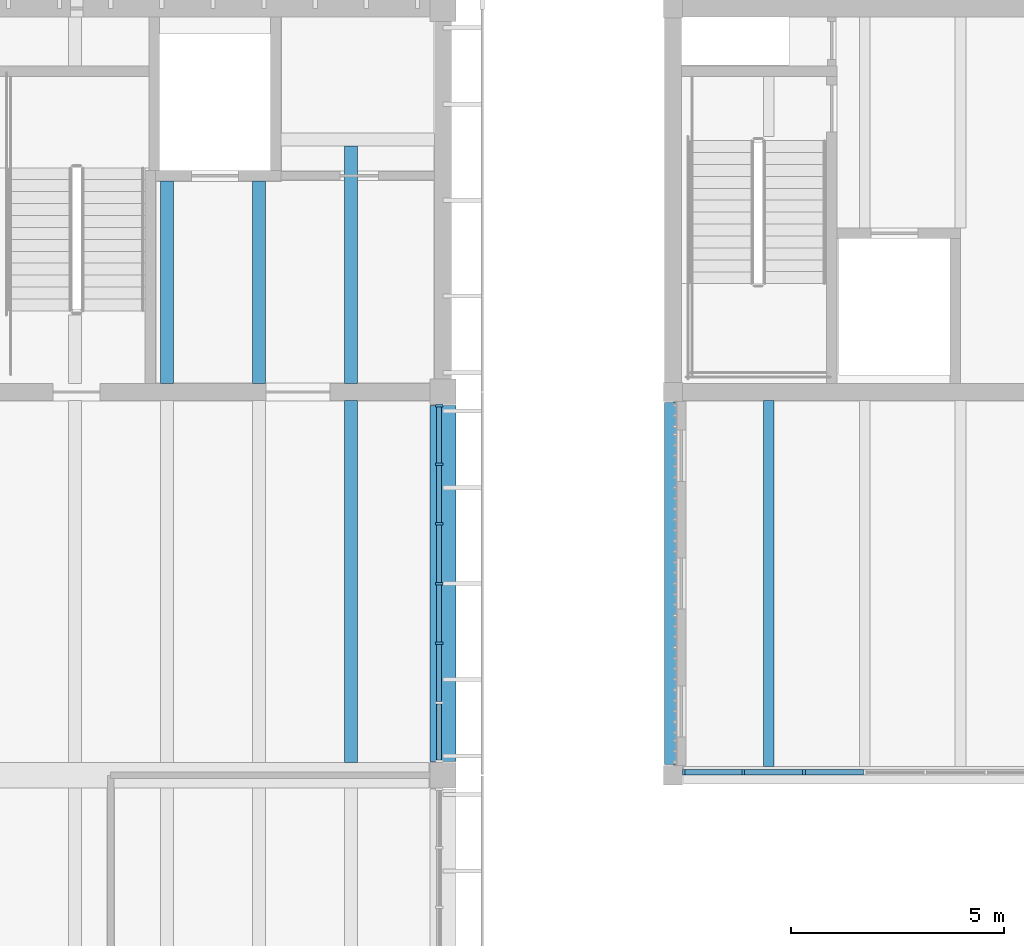
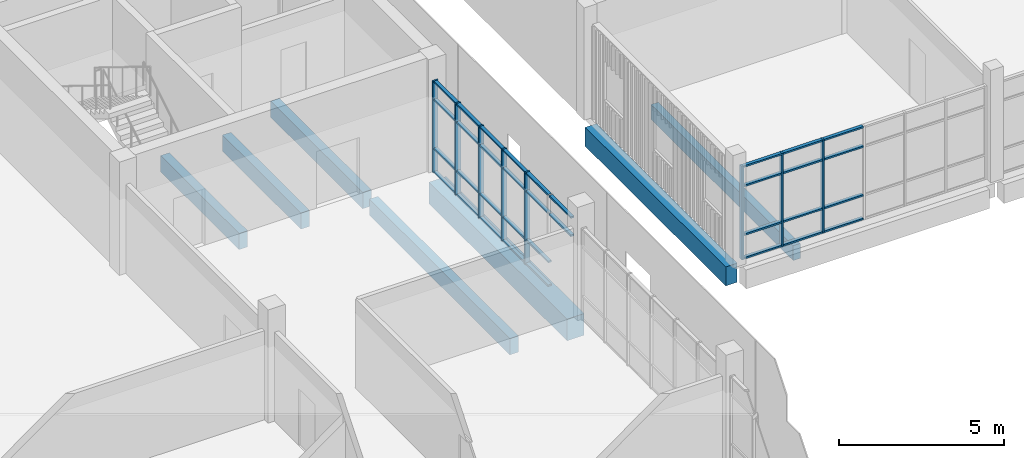
# One storey, part 23 of 88: 42 members, 7 beams, 2 elements without a shape of their own.
"""IFC4 building model written with IfcOpenShell, lengths in metres."""

from ifc_helpers import new_model, si_unit, direction, frame, origin, origin_2d, place, context, subcontext, project, spatial, rectangle, extrude, material, material_profile, profile_set, type_object, element, aggregate, save


model = new_model("IFC4")

# Units and contexts
model_context = context("Model", 3, precision=1e-05, world=origin(), true_north=direction((0.0, 1.0)))
body_context = subcontext(model_context, "Body", "Model", "MODEL_VIEW")
ifc_project = project(units=[si_unit("LENGTHUNIT", "METRE"), si_unit("AREAUNIT", "SQUARE_METRE"), si_unit("VOLUMEUNIT", "CUBIC_METRE"), si_unit("PLANEANGLEUNIT", "RADIAN"), si_unit("MASSUNIT", "GRAM", prefix="KILO")], contexts=[model_context])

# Site, building, storey
site_placement = place(None, origin())
site = spatial("IfcSite", under=ifc_project, at=site_placement, CompositionType="ELEMENT")
building_placement = place(site_placement, origin())
building = spatial("IfcBuilding", under=site, at=building_placement, Name="Merrow Basin Faculty of Sciences", CompositionType="ELEMENT")
storey_placement = place(building_placement, frame((0.0, 0.0, 9.0)))
storey = spatial("IfcBuildingStorey", under=building, at=storey_placement, Name="L02", CompositionType="ELEMENT", Elevation=9.0)

# Curtain wall, members
ifc_material_1 = material(Name="Aluminium alloy 6063", Category="aluminium")
curtain_wall_type_1 = type_object("IfcCurtainWallType", Name="Court curtain wall 140", PredefinedType="NOTDEFINED", material=ifc_material_1)
curtain_wall_1_placement = place(storey_placement, origin())
curtain_wall_1 = element("IfcCurtainWall", 1, at=curtain_wall_1_placement, inside=storey, type_object=curtain_wall_type_1, Name="Court curtain wall L02 1", PredefinedType="NOTDEFINED")
ifc_material_2 = material(Name="Aluminium alloy 6063", Category="aluminium")
ifc_material_profile_1 = material_profile(ifc_material_2, rectangle(XDim=0.139892578125, YDim=0.06005859375, at=origin_2d()))
ifc_profile_set_1 = profile_set([ifc_material_profile_1], Name="Aluminium alloy 6063")
member_type_1 = type_object("IfcMemberType", Name="Aluminium mullion 60x140", PredefinedType="MULLION", material=ifc_profile_set_1)
member_1_placement = place(storey_placement, frame((27.2548828125, 115.070068359375, 0.0), z_axis=(0.0, 0.0, 1.0), x_axis=(0.0, 1.0, 0.0)))
member_1 = element("IfcMember", 2, at=member_1_placement, type_object=member_type_1, Name="CW8 mullion 1", PredefinedType="MULLION", context=body_context, shape_type="SweptSolid", body=[
    extrude(rectangle(XDim=0.139892578125, YDim=0.06005859375, at=origin_2d()), origin(), (0.0, 0.0, 1.0), 3.449951171875),
])
member_2_placement = place(storey_placement, frame((28.64990234375, 115.070068359375, 0.0), z_axis=(0.0, 0.0, 1.0), x_axis=(0.0, 1.0, 0.0)))
member_2 = element("IfcMember", 3, at=member_2_placement, type_object=member_type_1, Name="CW8 mullion 2", PredefinedType="MULLION", context=body_context, shape_type="SweptSolid", body=[
    extrude(rectangle(XDim=0.139892578125, YDim=0.06005859375, at=origin_2d()), origin(), (0.0, 0.0, 1.0), 3.449951171875),
])
member_3_placement = place(storey_placement, frame((30.074951171875, 115.070068359375, 0.0), z_axis=(0.0, 0.0, 1.0), x_axis=(0.0, 1.0, 0.0)))
member_3 = element("IfcMember", 4, at=member_3_placement, type_object=member_type_1, Name="CW8 mullion 3", PredefinedType="MULLION", context=body_context, shape_type="SweptSolid", body=[
    extrude(rectangle(XDim=0.139892578125, YDim=0.06005859375, at=origin_2d()), origin(), (0.0, 0.0, 1.0), 3.449951171875),
])

ifc_material_3 = material(Name="Aluminium alloy 6063", Category="aluminium")
curtain_wall_type_2 = type_object("IfcCurtainWallType", Name="Bar unitised curtain wall 180", PredefinedType="NOTDEFINED", material=ifc_material_3)
curtain_wall_2_placement = place(storey_placement, origin())
curtain_wall_2 = element("IfcCurtainWall", 5, at=curtain_wall_2_placement, inside=storey, type_object=curtain_wall_type_2, Name="East curtain wall L02 6", PredefinedType="NOTDEFINED")
ifc_material_4 = material(Name="Aluminium alloy 6063", Category="aluminium")
ifc_material_profile_2 = material_profile(ifc_material_4, rectangle(XDim=0.179931640625, YDim=0.06005859375, at=origin_2d()))
ifc_profile_set_2 = profile_set([ifc_material_profile_2], Name="Aluminium alloy 6063")
member_type_2 = type_object("IfcMemberType", Name="Aluminium mullion 60x180", PredefinedType="MULLION", material=ifc_profile_set_2)
member_4_placement = place(storey_placement, frame((21.510009765625, 118.10009765625, 0.0), z_axis=(0.0, 0.0, 1.0), x_axis=(-1.0, 0.0, 0.0)))
member_4 = element("IfcMember", 6, at=member_4_placement, type_object=member_type_2, Name="CW1 mullion 3", PredefinedType="MULLION", context=body_context, shape_type="SweptSolid", body=[
    extrude(rectangle(XDim=0.179931640625, YDim=0.06005859375, at=origin_2d()), origin(), (0.0, 0.0, 1.0), 3.39990234375),
])
member_5_placement = place(storey_placement, frame((21.510009765625, 119.5, 0.0), z_axis=(0.0, 0.0, 1.0), x_axis=(-1.0, 0.0, 0.0)))
member_5 = element("IfcMember", 7, at=member_5_placement, type_object=member_type_2, Name="CW1 mullion 4", PredefinedType="MULLION", context=body_context, shape_type="SweptSolid", body=[
    extrude(rectangle(XDim=0.179931640625, YDim=0.06005859375, at=origin_2d()), origin(), (0.0, 0.0, 1.0), 3.39990234375),
])
member_6_placement = place(storey_placement, frame((21.510009765625, 120.89990234375, 0.0), z_axis=(0.0, 0.0, 1.0), x_axis=(-1.0, 0.0, 0.0)))
member_6 = element("IfcMember", 8, at=member_6_placement, type_object=member_type_2, Name="CW1 mullion 5", PredefinedType="MULLION", context=body_context, shape_type="SweptSolid", body=[
    extrude(rectangle(XDim=0.179931640625, YDim=0.06005859375, at=origin_2d()), origin(), (0.0, 0.0, 1.0), 3.39990234375),
])
member_7_placement = place(storey_placement, frame((21.510009765625, 122.300048828125, 0.0), z_axis=(0.0, 0.0, 1.0), x_axis=(-1.0, 0.0, 0.0)))
member_7 = element("IfcMember", 9, at=member_7_placement, type_object=member_type_2, Name="CW1 mullion 6", PredefinedType="MULLION", context=body_context, shape_type="SweptSolid", body=[
    extrude(rectangle(XDim=0.179931640625, YDim=0.06005859375, at=origin_2d()), origin(), (0.0, 0.0, 1.0), 3.39990234375),
])
member_8_placement = place(storey_placement, frame((21.510009765625, 123.669921875, 0.0), z_axis=(0.0, 0.0, 1.0), x_axis=(-1.0, 0.0, 0.0)))
member_8 = element("IfcMember", 10, at=member_8_placement, type_object=member_type_2, Name="CW1 mullion 7", PredefinedType="MULLION", context=body_context, shape_type="SweptSolid", body=[
    extrude(rectangle(XDim=0.179931640625, YDim=0.06005859375, at=origin_2d()), origin(), (0.0, 0.0, 1.0), 3.39990234375),
])
ifc_material_5 = material(Name="Aluminium alloy 6063", Category="aluminium")
ifc_material_profile_3 = material_profile(ifc_material_5, rectangle(XDim=0.1201171875, YDim=0.06005859375, at=origin_2d()))
ifc_profile_set_3 = profile_set([ifc_material_profile_3], Name="Aluminium alloy 6063")
member_type_3 = type_object("IfcMemberType", Name="Aluminium transom 60x120", PredefinedType="USERDEFINED", material=ifc_profile_set_3)
member_9_placement = place(storey_placement, frame((21.510009765625, 115.360107421875, 2.699951171875), z_axis=(0.0, 1.0, 0.0), x_axis=(-1.0, 0.0, 0.0)))
member_9 = element("IfcMember", 11, at=member_9_placement, type_object=member_type_3, Name="CW1 transom 1.3", ObjectType="TRANSOM", PredefinedType="USERDEFINED", context=body_context, shape_type="SweptSolid", body=[
    extrude(rectangle(XDim=0.1201171875, YDim=0.06005859375, at=origin_2d()), origin(), (0.0, 0.0, 1.0), 1.309814453125),
])
member_10_placement = place(storey_placement, frame((21.510009765625, 115.360107421875, 3.3701171875), z_axis=(0.0, 1.0, 0.0), x_axis=(-1.0, 0.0, 0.0)))
member_10 = element("IfcMember", 12, at=member_10_placement, type_object=member_type_3, Name="CW1 transom 1.4", ObjectType="TRANSOM", PredefinedType="USERDEFINED", context=body_context, shape_type="SweptSolid", body=[
    extrude(rectangle(XDim=0.1201171875, YDim=0.06005859375, at=origin_2d()), origin(), (0.0, 0.0, 1.0), 1.309814453125),
])
member_11_placement = place(storey_placement, frame((21.510009765625, 116.72998046875, 0.030029296875), z_axis=(0.0, 1.0, 0.0), x_axis=(-1.0, 0.0, 0.0)))
member_11 = element("IfcMember", 13, at=member_11_placement, type_object=member_type_3, Name="CW1 transom 2.1", ObjectType="TRANSOM", PredefinedType="USERDEFINED", context=body_context, shape_type="SweptSolid", body=[
    extrude(rectangle(XDim=0.1201171875, YDim=0.06005859375, at=origin_2d()), origin(), (0.0, 0.0, 1.0), 1.340087890625),
])
member_12_placement = place(storey_placement, frame((21.510009765625, 116.72998046875, 0.89990234375), z_axis=(0.0, 1.0, 0.0), x_axis=(-1.0, 0.0, 0.0)))
member_12 = element("IfcMember", 14, at=member_12_placement, type_object=member_type_3, Name="CW1 transom 2.2", ObjectType="TRANSOM", PredefinedType="USERDEFINED", context=body_context, shape_type="SweptSolid", body=[
    extrude(rectangle(XDim=0.1201171875, YDim=0.06005859375, at=origin_2d()), origin(), (0.0, 0.0, 1.0), 1.340087890625),
])
member_13_placement = place(storey_placement, frame((21.510009765625, 116.72998046875, 2.699951171875), z_axis=(0.0, 1.0, 0.0), x_axis=(-1.0, 0.0, 0.0)))
member_13 = element("IfcMember", 15, at=member_13_placement, type_object=member_type_3, Name="CW1 transom 2.3", ObjectType="TRANSOM", PredefinedType="USERDEFINED", context=body_context, shape_type="SweptSolid", body=[
    extrude(rectangle(XDim=0.1201171875, YDim=0.06005859375, at=origin_2d()), origin(), (0.0, 0.0, 1.0), 1.340087890625),
])
member_14_placement = place(storey_placement, frame((21.510009765625, 116.72998046875, 3.3701171875), z_axis=(0.0, 1.0, 0.0), x_axis=(-1.0, 0.0, 0.0)))
member_14 = element("IfcMember", 16, at=member_14_placement, type_object=member_type_3, Name="CW1 transom 2.4", ObjectType="TRANSOM", PredefinedType="USERDEFINED", context=body_context, shape_type="SweptSolid", body=[
    extrude(rectangle(XDim=0.1201171875, YDim=0.06005859375, at=origin_2d()), origin(), (0.0, 0.0, 1.0), 1.340087890625),
])
member_15_placement = place(storey_placement, frame((21.510009765625, 118.1298828125, 0.030029296875), z_axis=(0.0, 1.0, 0.0), x_axis=(-1.0, 0.0, 0.0)))
member_15 = element("IfcMember", 17, at=member_15_placement, type_object=member_type_3, Name="CW1 transom 3.1", ObjectType="TRANSOM", PredefinedType="USERDEFINED", context=body_context, shape_type="SweptSolid", body=[
    extrude(rectangle(XDim=0.1201171875, YDim=0.06005859375, at=origin_2d()), origin(), (0.0, 0.0, 1.0), 1.340087890625),
])
member_16_placement = place(storey_placement, frame((21.510009765625, 118.1298828125, 0.89990234375), z_axis=(0.0, 1.0, 0.0), x_axis=(-1.0, 0.0, 0.0)))
member_16 = element("IfcMember", 18, at=member_16_placement, type_object=member_type_3, Name="CW1 transom 3.2", ObjectType="TRANSOM", PredefinedType="USERDEFINED", context=body_context, shape_type="SweptSolid", body=[
    extrude(rectangle(XDim=0.1201171875, YDim=0.06005859375, at=origin_2d()), origin(), (0.0, 0.0, 1.0), 1.340087890625),
])
member_17_placement = place(storey_placement, frame((21.510009765625, 118.1298828125, 2.699951171875), z_axis=(0.0, 1.0, 0.0), x_axis=(-1.0, 0.0, 0.0)))
member_17 = element("IfcMember", 19, at=member_17_placement, type_object=member_type_3, Name="CW1 transom 3.3", ObjectType="TRANSOM", PredefinedType="USERDEFINED", context=body_context, shape_type="SweptSolid", body=[
    extrude(rectangle(XDim=0.1201171875, YDim=0.06005859375, at=origin_2d()), origin(), (0.0, 0.0, 1.0), 1.340087890625),
])
member_18_placement = place(storey_placement, frame((21.510009765625, 118.1298828125, 3.3701171875), z_axis=(0.0, 1.0, 0.0), x_axis=(-1.0, 0.0, 0.0)))
member_18 = element("IfcMember", 20, at=member_18_placement, type_object=member_type_3, Name="CW1 transom 3.4", ObjectType="TRANSOM", PredefinedType="USERDEFINED", context=body_context, shape_type="SweptSolid", body=[
    extrude(rectangle(XDim=0.1201171875, YDim=0.06005859375, at=origin_2d()), origin(), (0.0, 0.0, 1.0), 1.340087890625),
])
member_19_placement = place(storey_placement, frame((21.510009765625, 119.530029296875, 0.030029296875), z_axis=(0.0, 1.0, 0.0), x_axis=(-1.0, 0.0, 0.0)))
member_19 = element("IfcMember", 21, at=member_19_placement, type_object=member_type_3, Name="CW1 transom 4.1", ObjectType="TRANSOM", PredefinedType="USERDEFINED", context=body_context, shape_type="SweptSolid", body=[
    extrude(rectangle(XDim=0.1201171875, YDim=0.06005859375, at=origin_2d()), origin(), (0.0, 0.0, 1.0), 1.340087890625),
])
member_20_placement = place(storey_placement, frame((21.510009765625, 119.530029296875, 0.89990234375), z_axis=(0.0, 1.0, 0.0), x_axis=(-1.0, 0.0, 0.0)))
member_20 = element("IfcMember", 22, at=member_20_placement, type_object=member_type_3, Name="CW1 transom 4.2", ObjectType="TRANSOM", PredefinedType="USERDEFINED", context=body_context, shape_type="SweptSolid", body=[
    extrude(rectangle(XDim=0.1201171875, YDim=0.06005859375, at=origin_2d()), origin(), (0.0, 0.0, 1.0), 1.340087890625),
])
member_21_placement = place(storey_placement, frame((21.510009765625, 119.530029296875, 2.699951171875), z_axis=(0.0, 1.0, 0.0), x_axis=(-1.0, 0.0, 0.0)))
member_21 = element("IfcMember", 23, at=member_21_placement, type_object=member_type_3, Name="CW1 transom 4.3", ObjectType="TRANSOM", PredefinedType="USERDEFINED", context=body_context, shape_type="SweptSolid", body=[
    extrude(rectangle(XDim=0.1201171875, YDim=0.06005859375, at=origin_2d()), origin(), (0.0, 0.0, 1.0), 1.340087890625),
])
member_22_placement = place(storey_placement, frame((21.510009765625, 119.530029296875, 3.3701171875), z_axis=(0.0, 1.0, 0.0), x_axis=(-1.0, 0.0, 0.0)))
member_22 = element("IfcMember", 24, at=member_22_placement, type_object=member_type_3, Name="CW1 transom 4.4", ObjectType="TRANSOM", PredefinedType="USERDEFINED", context=body_context, shape_type="SweptSolid", body=[
    extrude(rectangle(XDim=0.1201171875, YDim=0.06005859375, at=origin_2d()), origin(), (0.0, 0.0, 1.0), 1.340087890625),
])
member_23_placement = place(storey_placement, frame((21.510009765625, 120.929931640625, 0.030029296875), z_axis=(0.0, 1.0, 0.0), x_axis=(-1.0, 0.0, 0.0)))
member_23 = element("IfcMember", 25, at=member_23_placement, type_object=member_type_3, Name="CW1 transom 5.1", ObjectType="TRANSOM", PredefinedType="USERDEFINED", context=body_context, shape_type="SweptSolid", body=[
    extrude(rectangle(XDim=0.1201171875, YDim=0.06005859375, at=origin_2d()), origin(), (0.0, 0.0, 1.0), 1.340087890625),
])
member_24_placement = place(storey_placement, frame((21.510009765625, 120.929931640625, 0.89990234375), z_axis=(0.0, 1.0, 0.0), x_axis=(-1.0, 0.0, 0.0)))
member_24 = element("IfcMember", 26, at=member_24_placement, type_object=member_type_3, Name="CW1 transom 5.2", ObjectType="TRANSOM", PredefinedType="USERDEFINED", context=body_context, shape_type="SweptSolid", body=[
    extrude(rectangle(XDim=0.1201171875, YDim=0.06005859375, at=origin_2d()), origin(), (0.0, 0.0, 1.0), 1.340087890625),
])
member_25_placement = place(storey_placement, frame((21.510009765625, 120.929931640625, 2.699951171875), z_axis=(0.0, 1.0, 0.0), x_axis=(-1.0, 0.0, 0.0)))
member_25 = element("IfcMember", 27, at=member_25_placement, type_object=member_type_3, Name="CW1 transom 5.3", ObjectType="TRANSOM", PredefinedType="USERDEFINED", context=body_context, shape_type="SweptSolid", body=[
    extrude(rectangle(XDim=0.1201171875, YDim=0.06005859375, at=origin_2d()), origin(), (0.0, 0.0, 1.0), 1.340087890625),
])
member_26_placement = place(storey_placement, frame((21.510009765625, 120.929931640625, 3.3701171875), z_axis=(0.0, 1.0, 0.0), x_axis=(-1.0, 0.0, 0.0)))
member_26 = element("IfcMember", 28, at=member_26_placement, type_object=member_type_3, Name="CW1 transom 5.4", ObjectType="TRANSOM", PredefinedType="USERDEFINED", context=body_context, shape_type="SweptSolid", body=[
    extrude(rectangle(XDim=0.1201171875, YDim=0.06005859375, at=origin_2d()), origin(), (0.0, 0.0, 1.0), 1.340087890625),
])
member_27_placement = place(storey_placement, frame((21.510009765625, 122.330078125, 0.030029296875), z_axis=(0.0, 1.0, 0.0), x_axis=(-1.0, 0.0, 0.0)))
member_27 = element("IfcMember", 29, at=member_27_placement, type_object=member_type_3, Name="CW1 transom 6.1", ObjectType="TRANSOM", PredefinedType="USERDEFINED", context=body_context, shape_type="SweptSolid", body=[
    extrude(rectangle(XDim=0.1201171875, YDim=0.06005859375, at=origin_2d()), origin(), (0.0, 0.0, 1.0), 1.309814453125),
])
member_28_placement = place(storey_placement, frame((21.510009765625, 122.330078125, 0.89990234375), z_axis=(0.0, 1.0, 0.0), x_axis=(-1.0, 0.0, 0.0)))
member_28 = element("IfcMember", 30, at=member_28_placement, type_object=member_type_3, Name="CW1 transom 6.2", ObjectType="TRANSOM", PredefinedType="USERDEFINED", context=body_context, shape_type="SweptSolid", body=[
    extrude(rectangle(XDim=0.1201171875, YDim=0.06005859375, at=origin_2d()), origin(), (0.0, 0.0, 1.0), 1.309814453125),
])
member_29_placement = place(storey_placement, frame((21.510009765625, 122.330078125, 2.699951171875), z_axis=(0.0, 1.0, 0.0), x_axis=(-1.0, 0.0, 0.0)))
member_29 = element("IfcMember", 31, at=member_29_placement, type_object=member_type_3, Name="CW1 transom 6.3", ObjectType="TRANSOM", PredefinedType="USERDEFINED", context=body_context, shape_type="SweptSolid", body=[
    extrude(rectangle(XDim=0.1201171875, YDim=0.06005859375, at=origin_2d()), origin(), (0.0, 0.0, 1.0), 1.309814453125),
])
member_30_placement = place(storey_placement, frame((21.510009765625, 122.330078125, 3.3701171875), z_axis=(0.0, 1.0, 0.0), x_axis=(-1.0, 0.0, 0.0)))
member_30 = element("IfcMember", 32, at=member_30_placement, type_object=member_type_3, Name="CW1 transom 6.4", ObjectType="TRANSOM", PredefinedType="USERDEFINED", context=body_context, shape_type="SweptSolid", body=[
    extrude(rectangle(XDim=0.1201171875, YDim=0.06005859375, at=origin_2d()), origin(), (0.0, 0.0, 1.0), 1.309814453125),
])
aggregate(curtain_wall_2, [member_4, member_5, member_6, member_7, member_8, member_9, member_10, member_11, member_12, member_13, member_14, member_15, member_16, member_17, member_18, member_19, member_20, member_21, member_22, member_23, member_24, member_25, member_26, member_27, member_28, member_29, member_30])

# Member
member_31_placement = place(storey_placement, frame((27.284912109375, 115.070068359375, 0.030029296875), z_axis=(1.0, 0.0, 0.0), x_axis=(0.0, 1.0, 0.0)))
member_31 = element("IfcMember", 33, at=member_31_placement, type_object=member_type_3, Name="CW8 transom 1.1", ObjectType="TRANSOM", PredefinedType="USERDEFINED", context=body_context, shape_type="SweptSolid", body=[
    extrude(rectangle(XDim=0.1201171875, YDim=0.06005859375, at=origin_2d()), origin(), (0.0, 0.0, 1.0), 1.335205078125),
])

member_32_placement = place(storey_placement, frame((27.284912109375, 115.070068359375, 0.89990234375), z_axis=(1.0, 0.0, 0.0), x_axis=(0.0, 1.0, 0.0)))
member_32 = element("IfcMember", 34, at=member_32_placement, type_object=member_type_3, Name="CW8 transom 1.2", ObjectType="TRANSOM", PredefinedType="USERDEFINED", context=body_context, shape_type="SweptSolid", body=[
    extrude(rectangle(XDim=0.1201171875, YDim=0.06005859375, at=origin_2d()), origin(), (0.0, 0.0, 1.0), 1.335205078125),
])

member_33_placement = place(storey_placement, frame((27.284912109375, 115.070068359375, 2.699951171875), z_axis=(1.0, 0.0, 0.0), x_axis=(0.0, 1.0, 0.0)))
member_33 = element("IfcMember", 35, at=member_33_placement, type_object=member_type_3, Name="CW8 transom 1.3", ObjectType="TRANSOM", PredefinedType="USERDEFINED", context=body_context, shape_type="SweptSolid", body=[
    extrude(rectangle(XDim=0.1201171875, YDim=0.06005859375, at=origin_2d()), origin(), (0.0, 0.0, 1.0), 1.335205078125),
])

member_34_placement = place(storey_placement, frame((27.284912109375, 115.070068359375, 3.419921875), z_axis=(1.0, 0.0, 0.0), x_axis=(0.0, 1.0, 0.0)))
member_34 = element("IfcMember", 36, at=member_34_placement, type_object=member_type_3, Name="CW8 transom 1.4", ObjectType="TRANSOM", PredefinedType="USERDEFINED", context=body_context, shape_type="SweptSolid", body=[
    extrude(rectangle(XDim=0.1201171875, YDim=0.06005859375, at=origin_2d()), origin(), (0.0, 0.0, 1.0), 1.335205078125),
])

member_35_placement = place(storey_placement, frame((28.679931640625, 115.070068359375, 0.030029296875), z_axis=(1.0, 0.0, 0.0), x_axis=(0.0, 1.0, 0.0)))
member_35 = element("IfcMember", 37, at=member_35_placement, type_object=member_type_3, Name="CW8 transom 2.1", ObjectType="TRANSOM", PredefinedType="USERDEFINED", context=body_context, shape_type="SweptSolid", body=[
    extrude(rectangle(XDim=0.1201171875, YDim=0.06005859375, at=origin_2d()), origin(), (0.0, 0.0, 1.0), 1.364990234375),
])

member_36_placement = place(storey_placement, frame((28.679931640625, 115.070068359375, 0.89990234375), z_axis=(1.0, 0.0, 0.0), x_axis=(0.0, 1.0, 0.0)))
member_36 = element("IfcMember", 38, at=member_36_placement, type_object=member_type_3, Name="CW8 transom 2.2", ObjectType="TRANSOM", PredefinedType="USERDEFINED", context=body_context, shape_type="SweptSolid", body=[
    extrude(rectangle(XDim=0.1201171875, YDim=0.06005859375, at=origin_2d()), origin(), (0.0, 0.0, 1.0), 1.364990234375),
])

member_37_placement = place(storey_placement, frame((28.679931640625, 115.070068359375, 2.699951171875), z_axis=(1.0, 0.0, 0.0), x_axis=(0.0, 1.0, 0.0)))
member_37 = element("IfcMember", 39, at=member_37_placement, type_object=member_type_3, Name="CW8 transom 2.3", ObjectType="TRANSOM", PredefinedType="USERDEFINED", context=body_context, shape_type="SweptSolid", body=[
    extrude(rectangle(XDim=0.1201171875, YDim=0.06005859375, at=origin_2d()), origin(), (0.0, 0.0, 1.0), 1.364990234375),
])

member_38_placement = place(storey_placement, frame((28.679931640625, 115.070068359375, 3.419921875), z_axis=(1.0, 0.0, 0.0), x_axis=(0.0, 1.0, 0.0)))
member_38 = element("IfcMember", 40, at=member_38_placement, type_object=member_type_3, Name="CW8 transom 2.4", ObjectType="TRANSOM", PredefinedType="USERDEFINED", context=body_context, shape_type="SweptSolid", body=[
    extrude(rectangle(XDim=0.1201171875, YDim=0.06005859375, at=origin_2d()), origin(), (0.0, 0.0, 1.0), 1.364990234375),
])

member_39_placement = place(storey_placement, frame((30.10498046875, 115.070068359375, 0.030029296875), z_axis=(1.0, 0.0, 0.0), x_axis=(0.0, 1.0, 0.0)))
member_39 = element("IfcMember", 41, at=member_39_placement, type_object=member_type_3, Name="CW8 transom 3.1", ObjectType="TRANSOM", PredefinedType="USERDEFINED", context=body_context, shape_type="SweptSolid", body=[
    extrude(rectangle(XDim=0.1201171875, YDim=0.06005859375, at=origin_2d()), origin(), (0.0, 0.0, 1.0), 1.364990234375),
])

member_40_placement = place(storey_placement, frame((30.10498046875, 115.070068359375, 0.89990234375), z_axis=(1.0, 0.0, 0.0), x_axis=(0.0, 1.0, 0.0)))
member_40 = element("IfcMember", 42, at=member_40_placement, type_object=member_type_3, Name="CW8 transom 3.2", ObjectType="TRANSOM", PredefinedType="USERDEFINED", context=body_context, shape_type="SweptSolid", body=[
    extrude(rectangle(XDim=0.1201171875, YDim=0.06005859375, at=origin_2d()), origin(), (0.0, 0.0, 1.0), 1.364990234375),
])

member_41_placement = place(storey_placement, frame((30.10498046875, 115.070068359375, 2.699951171875), z_axis=(1.0, 0.0, 0.0), x_axis=(0.0, 1.0, 0.0)))
member_41 = element("IfcMember", 43, at=member_41_placement, type_object=member_type_3, Name="CW8 transom 3.3", ObjectType="TRANSOM", PredefinedType="USERDEFINED", context=body_context, shape_type="SweptSolid", body=[
    extrude(rectangle(XDim=0.1201171875, YDim=0.06005859375, at=origin_2d()), origin(), (0.0, 0.0, 1.0), 1.364990234375),
])

member_42_placement = place(storey_placement, frame((30.10498046875, 115.070068359375, 3.419921875), z_axis=(1.0, 0.0, 0.0), x_axis=(0.0, 1.0, 0.0)))
member_42 = element("IfcMember", 44, at=member_42_placement, type_object=member_type_3, Name="CW8 transom 3.4", ObjectType="TRANSOM", PredefinedType="USERDEFINED", context=body_context, shape_type="SweptSolid", body=[
    extrude(rectangle(XDim=0.1201171875, YDim=0.06005859375, at=origin_2d()), origin(), (0.0, 0.0, 1.0), 1.364990234375),
])

aggregate(curtain_wall_1, [member_1, member_2, member_3, member_31, member_32, member_33, member_34, member_35, member_36, member_37, member_38, member_39, member_40, member_41, member_42])

# Beams
ifc_material_6 = material(Name="Concrete C40/50", Category="concrete")
ifc_material_profile_4 = material_profile(ifc_material_6, rectangle(XDim=0.39990234375, YDim=0.699951171875, at=origin_2d()))
ifc_profile_set_4 = profile_set([ifc_material_profile_4], Name="Concrete C40/50")
beam_type_1 = type_object("IfcBeamType", Name="Beam RC400x700 C40/50", PredefinedType="BEAM", material=ifc_profile_set_4)
beam_1_placement = place(storey_placement, frame((27.0, 115.25, -0.60009765625), z_axis=(0.0, 1.0, 0.0), x_axis=(-1.0, 0.0, 0.0)))
element("IfcBeam", 45, at=beam_1_placement, inside=storey, type_object=beam_type_1, Name="B3 L02 020", PredefinedType="BEAM", context=body_context, shape_type="SweptSolid", body=[
    extrude(rectangle(XDim=0.39990234375, YDim=0.699951171875, at=origin_2d()), origin(), (0.0, 0.0, 1.0), 8.5),
])
ifc_material_7 = material(Name="Concrete C40/50", Category="concrete")
ifc_material_profile_5 = material_profile(ifc_material_7, rectangle(XDim=0.60009765625, YDim=0.800048828125, at=origin_2d()))
ifc_profile_set_5 = profile_set([ifc_material_profile_5], Name="Concrete C40/50")
beam_type_2 = type_object("IfcBeamType", Name="Beam RC600x800 C40/50", PredefinedType="BEAM", material=ifc_profile_set_5)
beam_2_placement = place(storey_placement, frame((21.60009765625, 115.324951171875, -0.699951171875), z_axis=(0.0, 1.0, 0.0), x_axis=(-1.0, 0.0, 0.0)))
element("IfcBeam", 46, at=beam_2_placement, inside=storey, type_object=beam_type_2, Name="B2 L02 033", PredefinedType="BEAM", context=body_context, shape_type="SweptSolid", body=[
    extrude(rectangle(XDim=0.60009765625, YDim=0.800048828125, at=origin_2d()), origin(), (0.0, 0.0, 1.0), 8.35009765625),
])
ifc_material_8 = material(Name="Concrete C40/50", Category="concrete")
ifc_material_profile_6 = material_profile(ifc_material_8, rectangle(XDim=0.25, YDim=0.550048828125, at=origin_2d()))
ifc_profile_set_6 = profile_set([ifc_material_profile_6], Name="Concrete C40/50")
beam_type_3 = type_object("IfcBeamType", Name="Commons floor joist RC250x550 C40/50", PredefinedType="BEAM", material=ifc_profile_set_6)
beam_3_placement = place(storey_placement, frame((29.25, 115.199951171875, -0.52490234375), z_axis=(0.0, 1.0, 0.0), x_axis=(-1.0, 0.0, 0.0)))
element("IfcBeam", 47, at=beam_3_placement, inside=storey, type_object=beam_type_3, Name="JC1 L02 042", PredefinedType="BEAM", context=body_context, shape_type="SweptSolid", body=[
    extrude(rectangle(XDim=0.25, YDim=0.550048828125, at=origin_2d()), origin(), (0.0, 0.0, 1.0), 8.60009765625),
])
ifc_material_9 = material(Name="Concrete C40/50", Category="concrete")
ifc_material_profile_7 = material_profile(ifc_material_9, rectangle(XDim=0.300048828125, YDim=0.60009765625, at=origin_2d()))
ifc_profile_set_7 = profile_set([ifc_material_profile_7], Name="Concrete C40/50")
beam_type_4 = type_object("IfcBeamType", Name="Laboratory floor joist RC300x600 C40/50", PredefinedType="BEAM", material=ifc_profile_set_7)
beam_4_placement = place(storey_placement, frame((19.43994140625, 115.300048828125, -0.60009765625), z_axis=(0.0, 1.0, 0.0), x_axis=(-1.0, 0.0, 0.0)))
element("IfcBeam", 48, at=beam_4_placement, inside=storey, type_object=beam_type_4, Name="JL1 L02 096", PredefinedType="BEAM", context=body_context, shape_type="SweptSolid", body=[
    extrude(rectangle(XDim=0.300048828125, YDim=0.60009765625, at=origin_2d()), origin(), (0.0, 0.0, 1.0), 8.5),
])
for number, where, z_axis, x_axis, name in (
    (49, (15.1201171875, 124.199951171875, -0.60009765625), (0.0, 1.0, 0.0), (-1.0, 0.0, 0.0), "JL1 L02 099"),
    (50, (17.280029296875, 124.199951171875, -0.60009765625), (0.0, 1.0, 0.0), (-1.0, 0.0, 0.0), "JL1 L02 100"),
):
    element("IfcBeam", number, at=place(storey_placement, frame(where, z_axis=z_axis, x_axis=x_axis)), inside=storey, type_object=beam_type_4, Name=name, PredefinedType="BEAM", context=body_context, shape_type="SweptSolid", body=[
        extrude(rectangle(XDim=0.300048828125, YDim=0.60009765625, at=origin_2d()), origin(), (0.0, 0.0, 1.0), 4.75),
    ])
beam_5_placement = place(storey_placement, frame((19.43994140625, 124.199951171875, -0.60009765625), z_axis=(0.0, 1.0, 0.0), x_axis=(-1.0, 0.0, 0.0)))
element("IfcBeam", 51, at=beam_5_placement, inside=storey, type_object=beam_type_4, Name="JL1 L02 101", PredefinedType="BEAM", context=body_context, shape_type="SweptSolid", body=[
    extrude(rectangle(XDim=0.300048828125, YDim=0.60009765625, at=origin_2d()), origin(), (0.0, 0.0, 1.0), 5.574951171875),
])

save(model, "model.ifc")
